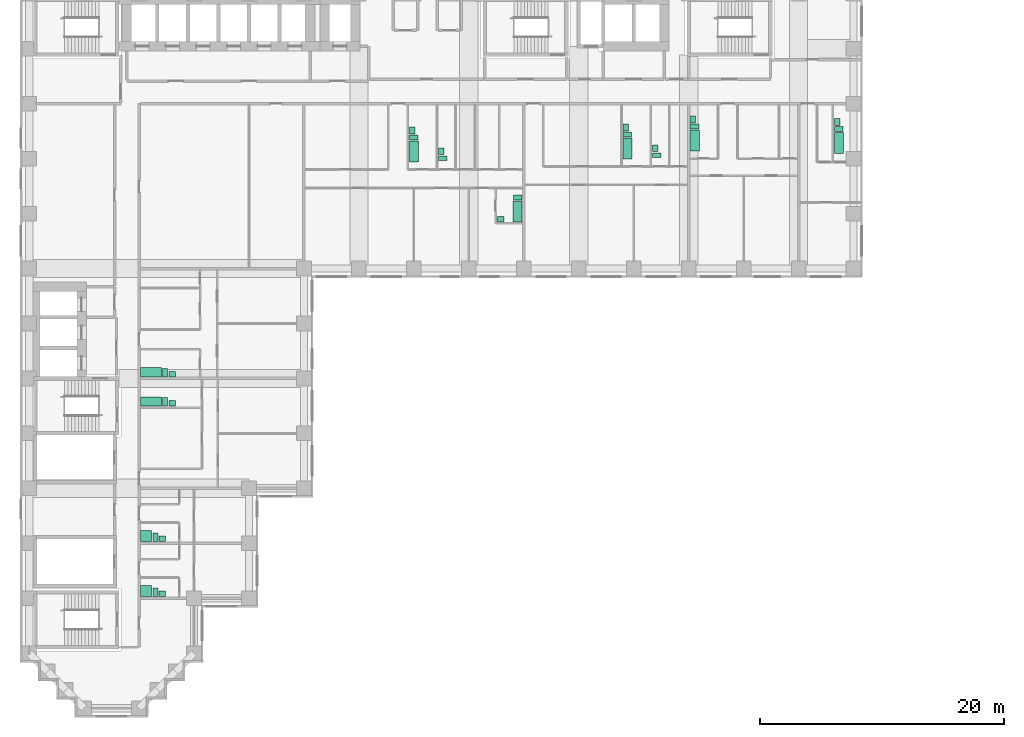
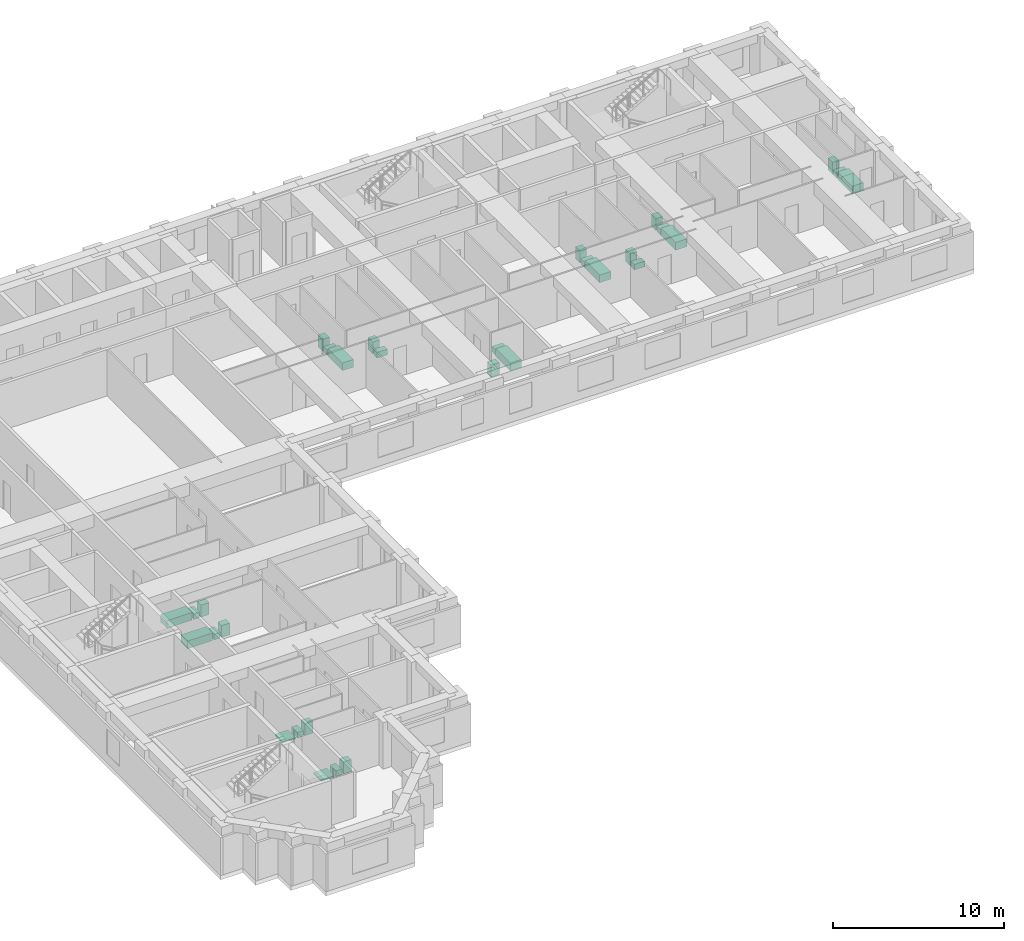
# One storey, part 14 of 14: 31 sanitary terminals.
"""IFC4 building model written with IfcOpenShell, lengths in metres."""

from ifc_helpers import new_model, si_unit, direction, frame, origin, origin_2d, place, context, subcontext, project, spatial, rectangle, extrude, material, type_object, element, save


model = new_model("IFC4")

# Units and contexts
model_context = context("Model", 3, precision=1e-05, world=origin(), true_north=direction((0.0, 1.0)))
body_context = subcontext(model_context, "Body", "Model", "MODEL_VIEW")
ifc_project = project(units=[si_unit("LENGTHUNIT", "METRE"), si_unit("AREAUNIT", "SQUARE_METRE"), si_unit("VOLUMEUNIT", "CUBIC_METRE"), si_unit("PLANEANGLEUNIT", "RADIAN"), si_unit("MASSUNIT", "GRAM", prefix="KILO")], contexts=[model_context])

# Site, building, storey
site_placement = place(None, origin())
site = spatial("IfcSite", under=ifc_project, at=site_placement, CompositionType="ELEMENT")
building_placement = place(site_placement, origin())
building = spatial("IfcBuilding", under=site, at=building_placement, Name="Firuza Court", CompositionType="ELEMENT")
storey_placement = place(building_placement, frame((0.0, 0.0, 32.60009765625)))
storey = spatial("IfcBuildingStorey", under=building, at=storey_placement, Name="L06", CompositionType="ELEMENT", Elevation=32.60009765625)

# Sanitary terminals
ifc_material_1 = material(Name="Vitreous china", Category="ceramic")
sanitary_terminal_type_1 = type_object("IfcSanitaryTerminalType", Name="Fixture Bath", PredefinedType="BATH", material=ifc_material_1)
for number, where, z_axis, x_axis, name in (
    (1, (31.5048828125, 45.580078125, 0.0), (0.0, 0.0, 1.0), (1.0, 0.0, 0.0), "Bath"),
    (2, (39.9951171875, 40.679931640625, 0.0), (0.0, 0.0, 1.0), (1.0, 0.0, 0.0), "Bath"),
    (3, (49.0048828125, 45.830078125, 0.0), (0.0, 0.0, 1.0), (1.0, 0.0, 0.0), "Bath"),
    (4, (54.5048828125, 46.47998046875, 0.0), (0.0, 0.0, 1.0), (1.0, 0.0, 0.0), "Bath"),
    (5, (66.304931640625, 46.280029296875, 0.0), (0.0, 0.0, 1.0), (1.0, 0.0, 0.0), "Bath"),
):
    element("IfcSanitaryTerminal", number, at=place(storey_placement, frame(where, z_axis=z_axis, x_axis=x_axis)), inside=storey, type_object=sanitary_terminal_type_1, Name=name, PredefinedType="BATH", context=body_context, shape_type="SweptSolid", body=[
        extrude(rectangle(XDim=0.75, YDim=1.699951171875, at=origin_2d()), origin(), (0.0, 0.0, 1.0), 0.550048828125),
    ])
for number, where, z_axis, x_axis, name in (
    (6, (9.97998046875, 27.5048828125, 0.0), (0.0, 0.0, 1.0), (1.0, 0.0, 0.0), "Bath"),
    (7, (9.97998046875, 25.10498046875, 0.0), (0.0, 0.0, 1.0), (1.0, 0.0, 0.0), "Bath"),
):
    element("IfcSanitaryTerminal", number, at=place(storey_placement, frame(where, z_axis=z_axis, x_axis=x_axis)), inside=storey, type_object=sanitary_terminal_type_1, Name=name, PredefinedType="BATH", context=body_context, shape_type="SweptSolid", body=[
        extrude(rectangle(XDim=1.699951171875, YDim=0.75, at=origin_2d()), origin(), (0.0, 0.0, 1.0), 0.550048828125),
    ])
ifc_material_2 = material(Name="Vitreous china", Category="ceramic")
sanitary_terminal_type_2 = type_object("IfcSanitaryTerminalType", Name="Fixture Shower tray", PredefinedType="SHOWER", material=ifc_material_2)
for number, where, z_axis, x_axis, name in (
    (8, (9.580078125, 14.080078125, -0.000244140625), (0.0, 0.0, 1.0), (1.0, 0.0, 0.0), "Shower tray"),
    (9, (9.580078125, 9.580078125, -0.000244140625), (0.0, 0.0, 1.0), (1.0, 0.0, 0.0), "Shower tray"),
):
    element("IfcSanitaryTerminal", number, at=place(storey_placement, frame(where, z_axis=z_axis, x_axis=x_axis)), inside=storey, type_object=sanitary_terminal_type_2, Name=name, PredefinedType="SHOWER", context=body_context, shape_type="SweptSolid", body=[
        extrude(rectangle(XDim=0.89990234375, YDim=0.89990234375, at=origin_2d()), origin(), (0.0, 0.0, 1.0), 0.10009765625),
    ])
ifc_material_3 = material(Name="Vitreous china", Category="ceramic")
sanitary_terminal_type_3 = type_object("IfcSanitaryTerminalType", Name="Fixture WC pan", PredefinedType="TOILETPAN", material=ifc_material_3)
for number, where, z_axis, x_axis, name in (
    (10, (31.47998046875, 46.72998046875, 0.0), (0.0, 0.0, 1.0), (1.0, 0.0, 0.0), "WC pan"),
    (11, (33.8798828125, 45.030029296875, 0.0), (0.0, 0.0, 1.0), (1.0, 0.0, 0.0), "WC pan"),
    (12, (40.02001953125, 41.830078125, 0.0), (0.0, 0.0, 1.0), (1.0, 0.0, 0.0), "WC pan"),
    (13, (48.97998046875, 46.97998046875, 0.0), (0.0, 0.0, 1.0), (1.0, 0.0, 0.0), "WC pan"),
    (14, (51.3798828125, 45.280029296875, 0.0), (0.0, 0.0, 1.0), (1.0, 0.0, 0.0), "WC pan"),
    (15, (54.47998046875, 47.6298828125, 0.0), (0.0, 0.0, 1.0), (1.0, 0.0, 0.0), "WC pan"),
    (16, (66.280029296875, 47.429931640625, 0.0), (0.0, 0.0, 1.0), (1.0, 0.0, 0.0), "WC pan"),
):
    element("IfcSanitaryTerminal", number, at=place(storey_placement, frame(where, z_axis=z_axis, x_axis=x_axis)), inside=storey, type_object=sanitary_terminal_type_3, Name=name, PredefinedType="TOILETPAN", context=body_context, shape_type="SweptSolid", body=[
        extrude(rectangle(XDim=0.699951171875, YDim=0.39990234375, at=origin_2d()), origin(), (0.0, 0.0, 1.0), 0.39990234375),
    ])
for number, where, z_axis, x_axis, name in (
    (17, (11.1298828125, 27.47998046875, 0.0), (0.0, 0.0, 1.0), (1.0, 0.0, 0.0), "WC pan"),
    (18, (11.1298828125, 25.080078125, 0.0), (0.0, 0.0, 1.0), (1.0, 0.0, 0.0), "WC pan"),
    (19, (10.330078125, 13.97998046875, 0.0), (0.0, 0.0, 1.0), (1.0, 0.0, 0.0), "WC pan"),
    (20, (10.330078125, 9.47998046875, 0.0), (0.0, 0.0, 1.0), (1.0, 0.0, 0.0), "WC pan"),
):
    element("IfcSanitaryTerminal", number, at=place(storey_placement, frame(where, z_axis=z_axis, x_axis=x_axis)), inside=storey, type_object=sanitary_terminal_type_3, Name=name, PredefinedType="TOILETPAN", context=body_context, shape_type="SweptSolid", body=[
        extrude(rectangle(XDim=0.39990234375, YDim=0.699951171875, at=origin_2d()), origin(), (0.0, 0.0, 1.0), 0.39990234375),
    ])
ifc_material_4 = material(Name="Vitreous china", Category="ceramic")
sanitary_terminal_type_4 = type_object("IfcSanitaryTerminalType", Name="Fixture Washbasin", PredefinedType="WASHHANDBASIN", material=ifc_material_4)
for number, where, z_axis, x_axis, name in (
    (21, (31.35498046875, 47.304931640625, -0.000244140625), (0.0, 0.0, 1.0), (1.0, 0.0, 0.0), "Washbasin"),
    (22, (33.7548828125, 45.60498046875, -0.000244140625), (0.0, 0.0, 1.0), (1.0, 0.0, 0.0), "Washbasin"),
):
    element("IfcSanitaryTerminal", number, at=place(storey_placement, frame(where, z_axis=z_axis, x_axis=x_axis)), inside=storey, type_object=sanitary_terminal_type_4, Name=name, PredefinedType="WASHHANDBASIN", context=body_context, shape_type="SweptSolid", body=[
        extrude(rectangle(XDim=0.449951171875, YDim=0.550048828125, at=origin_2d()), origin(), (0.0, 0.0, 1.0), 0.85009765625),
    ])
sanitary_terminal_placement = place(storey_placement, frame((38.60498046875, 40.054931640625, -0.000244140625), z_axis=(0.0, 0.0, 1.0), x_axis=(1.0, 0.0, 0.0)))
element("IfcSanitaryTerminal", 23, at=sanitary_terminal_placement, inside=storey, type_object=sanitary_terminal_type_4, Name="Washbasin", PredefinedType="WASHHANDBASIN", context=body_context, shape_type="SweptSolid", body=[
    extrude(rectangle(XDim=0.550048828125, YDim=0.449951171875, at=origin_2d()), origin(), (0.0, 0.0, 1.0), 0.85009765625),
])
for number, where, z_axis, x_axis, name in (
    (24, (48.85498046875, 47.554931640625, -0.000244140625), (0.0, 0.0, 1.0), (1.0, 0.0, 0.0), "Washbasin"),
    (25, (51.2548828125, 45.85498046875, -0.000244140625), (0.0, 0.0, 1.0), (1.0, 0.0, 0.0), "Washbasin"),
    (26, (54.35498046875, 48.205078125, -0.000244140625), (0.0, 0.0, 1.0), (1.0, 0.0, 0.0), "Washbasin"),
    (27, (66.155029296875, 48.0048828125, -0.000244140625), (0.0, 0.0, 1.0), (1.0, 0.0, 0.0), "Washbasin"),
):
    element("IfcSanitaryTerminal", number, at=place(storey_placement, frame(where, z_axis=z_axis, x_axis=x_axis)), inside=storey, type_object=sanitary_terminal_type_4, Name=name, PredefinedType="WASHHANDBASIN", context=body_context, shape_type="SweptSolid", body=[
        extrude(rectangle(XDim=0.449951171875, YDim=0.550048828125, at=origin_2d()), origin(), (0.0, 0.0, 1.0), 0.85009765625),
    ])
for number, where, z_axis, x_axis, name in (
    (28, (11.705078125, 27.35498046875, -0.000244140625), (0.0, 0.0, 1.0), (1.0, 0.0, 0.0), "Washbasin"),
    (29, (11.705078125, 24.955078125, -0.000244140625), (0.0, 0.0, 1.0), (1.0, 0.0, 0.0), "Washbasin"),
    (30, (10.905029296875, 13.85498046875, -0.000244140625), (0.0, 0.0, 1.0), (1.0, 0.0, 0.0), "Washbasin"),
    (31, (10.905029296875, 9.35498046875, -0.000244140625), (0.0, 0.0, 1.0), (1.0, 0.0, 0.0), "Washbasin"),
):
    element("IfcSanitaryTerminal", number, at=place(storey_placement, frame(where, z_axis=z_axis, x_axis=x_axis)), inside=storey, type_object=sanitary_terminal_type_4, Name=name, PredefinedType="WASHHANDBASIN", context=body_context, shape_type="SweptSolid", body=[
        extrude(rectangle(XDim=0.550048828125, YDim=0.449951171875, at=origin_2d()), origin(), (0.0, 0.0, 1.0), 0.85009765625),
    ])

save(model, "model.ifc")
